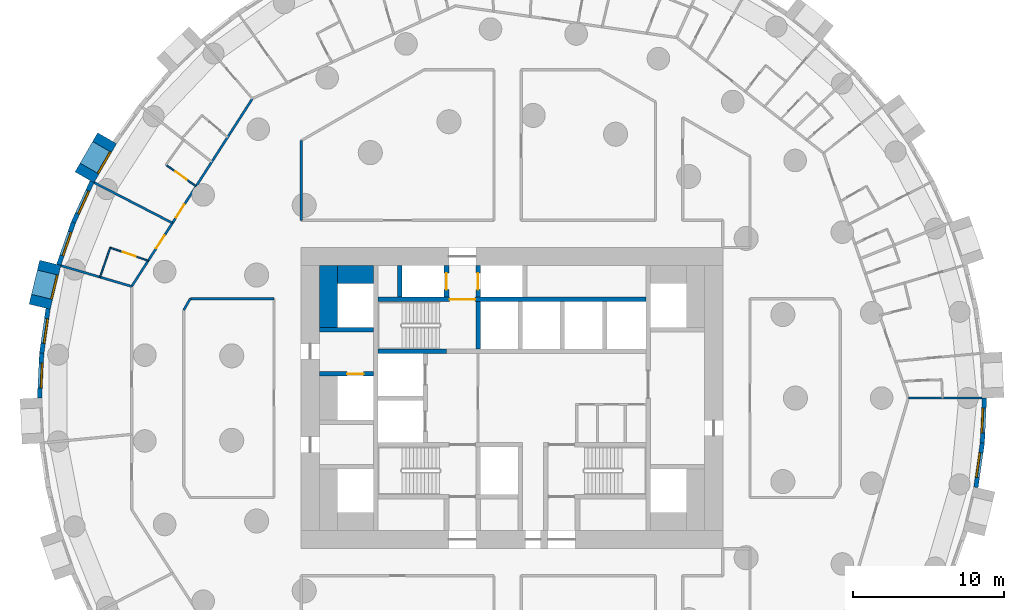
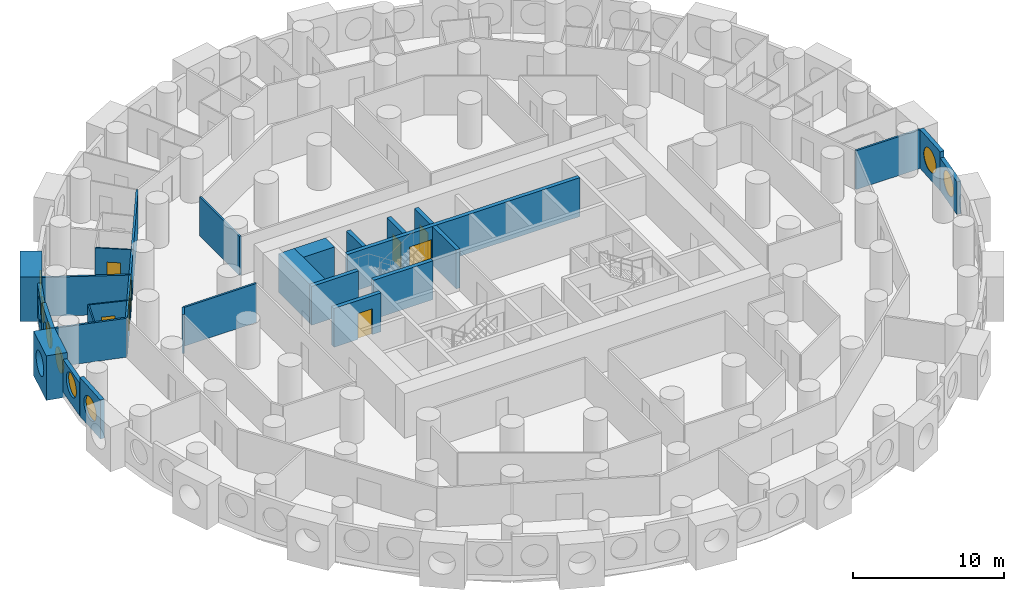
# One storey, part 6 of 12: 28 walls, 8 doors, 8 windows, 16 openings.
"""IFC4 building model written with IfcOpenShell, lengths in metres."""

from ifc_helpers import new_model, si_unit, direction, frame, frame_2d, origin, origin_2d, place, context, subcontext, project, spatial, rectangle, circle, extrude, material, layer, layer_set, type_object, element, fill, save


model = new_model("IFC4")

# Units and contexts
model_context = context("Model", 3, precision=1e-05, world=origin(), true_north=direction((0.0, 1.0)))
body_context = subcontext(model_context, "Body", "Model", "MODEL_VIEW")
ifc_project = project(units=[si_unit("LENGTHUNIT", "METRE"), si_unit("AREAUNIT", "SQUARE_METRE"), si_unit("VOLUMEUNIT", "CUBIC_METRE"), si_unit("PLANEANGLEUNIT", "RADIAN"), si_unit("MASSUNIT", "GRAM", prefix="KILO")], contexts=[model_context])

# Site, building, storey
site_placement = place(None, origin())
site = spatial("IfcSite", under=ifc_project, at=site_placement, CompositionType="ELEMENT")
building_placement = place(site_placement, origin())
building = spatial("IfcBuilding", under=site, at=building_placement, Name="Tracery Tower", CompositionType="ELEMENT")
storey_placement = place(building_placement, frame((0.0, 0.0, 42.60009765625)))
storey = spatial("IfcBuildingStorey", under=building, at=storey_placement, Name="L09", CompositionType="ELEMENT", Elevation=42.60009765625)

# Walls
ifc_material_1 = material(Name="Concrete C60/75", Category="concrete")
ifc_layer_1 = layer(ifc_material_1, 1.199951171875)
ifc_layer_set_1 = layer_set([ifc_layer_1], Name="Core strip wall 1200 C60")
wall_type_1 = type_object("IfcWallType", Name="Core strip wall 1200 C60", PredefinedType="SOLIDWALL", material=ifc_layer_set_1)
wall_1_placement = place(storey_placement, frame((-12.199951171875, 4.699951171875, 0.0), z_axis=(0.0, 0.0, 1.0), x_axis=(0.0, 1.0, 0.0)))
element("IfcWall", 1, at=wall_1_placement, inside=storey, type_object=wall_type_1, Name="L09 wing strip -1 4.55", PredefinedType="SOLIDWALL", context=body_context, shape_type="SweptSolid", body=[
    extrude(rectangle(XDim=4.10009765625, YDim=1.199951171875, at=frame_2d((2.050048828125, 0.0))), origin(), (0.0, 0.0, 1.0), 3.14990234375),
])
wall_2_placement = place(storey_placement, frame((-11.60009765625, 8.199951171875, 0.0), z_axis=(0.0, 0.0, 1.0), x_axis=(1.0, 0.0, 0.0)))
element("IfcWall", 2, at=wall_2_placement, inside=storey, type_object=wall_type_1, Name="L09 wing corner -1 +8.2", PredefinedType="SOLIDWALL", context=body_context, shape_type="SweptSolid", body=[
    extrude(rectangle(XDim=2.400146484375, YDim=1.199951171875, at=frame_2d((1.2001953125, 0.0))), origin(), (0.0, 0.0, 1.0), 3.14990234375),
])

# Wall, opening, window
ifc_material_2 = material(Name="Precast concrete C50/60", Category="concrete")
ifc_layer_2 = layer(ifc_material_2, 1.449951171875)
ifc_layer_set_2 = layer_set([ifc_layer_2], Name="Deep-set bay unit 3000 x 3600, slab edge 450")
wall_type_2 = type_object("IfcWallType", Name="Deep-set bay unit 3000 x 3600, slab edge 450", PredefinedType="ELEMENTEDWALL", material=ifc_layer_set_2)
wall_3_placement = place(storey_placement, frame((-26.88818359375, 17.256103515625, -0.4501953125), z_axis=(0.0, 0.0, 1.0), x_axis=(-0.499990139034, -0.866031096941, 0.0)))
wall_3 = element("IfcWall", 3, at=wall_3_placement, inside=storey, type_object=wall_type_2, Name="Deep-set bay unit 28 at L09", PredefinedType="ELEMENTEDWALL", context=body_context, shape_type="SweptSolid", body=[
    extrude(rectangle(XDim=3.0, YDim=1.449951171875, at=frame_2d((1.5, 0.0))), origin(), (0.0, 0.0, 1.0), 3.60009765625),
])
opening_1_placement = place(wall_3_placement, frame((1.5, 0.0, 2.0)))
opening_1 = element("IfcOpeningElement", 4, at=opening_1_placement, cuts=wall_3, Name="Opening WN1", PredefinedType="OPENING", context=body_context, shape_type="SweptSolid", body=[
    extrude(circle(Radius=0.9000244140625, at=origin_2d()), frame((0.0, 0.73486328125, 0.0), z_axis=(0.0, -1.0, 0.0), x_axis=(1.0, 0.0, 0.0)), (0.0, 0.0, 1.0), 1.469970703125),
])
ifc_material_3 = material(Name="Aluminium frame with tinted double glazing", Category="aluminium")
window_type = type_object("IfcWindowType", Name="Round window 1800", PartitioningType="SINGLE_PANEL", PredefinedType="WINDOW", material=ifc_material_3)
window_1_placement = place(opening_1_placement, origin())
window_1 = element("IfcWindow", 5, at=window_1_placement, inside=storey, type_object=window_type, Name="Round window 28 at L09", OverallHeight=1.800048828125, OverallWidth=1.800048828125, PartitioningType="SINGLE_PANEL", PredefinedType="WINDOW", context=body_context, shape_type="SweptSolid", body=[
    extrude(circle(Radius=0.9000244140625, at=origin_2d()), frame((0.0, 0.69482421875, 0.0), z_axis=(0.0, -1.0, 0.0), x_axis=(1.0, 0.0, 0.0)), (0.0, 0.0, 1.0), 0.10009765625),
])
fill(opening_1, window_1)

wall_4_placement = place(storey_placement, frame((-30.66064453125, 8.981689453125, -0.4501953125), z_axis=(0.0, 0.0, 1.0), x_axis=(-0.235751415068, -0.971813392732, 0.0)))
wall_4 = element("IfcWall", 6, at=wall_4_placement, inside=storey, type_object=wall_type_2, Name="Deep-set bay unit 31 at L09", PredefinedType="ELEMENTEDWALL", context=body_context, shape_type="SweptSolid", body=[
    extrude(rectangle(XDim=3.0, YDim=1.449951171875, at=frame_2d((1.5, 0.0))), origin(), (0.0, 0.0, 1.0), 3.60009765625),
])
opening_2_placement = place(wall_4_placement, frame((1.5, 0.0, 2.0)))
opening_2 = element("IfcOpeningElement", 7, at=opening_2_placement, cuts=wall_4, Name="Opening WN1", PredefinedType="OPENING", context=body_context, shape_type="SweptSolid", body=[
    extrude(circle(Radius=0.9000244140625, at=origin_2d()), frame((0.0, 0.73486328125, 0.0), z_axis=(0.0, -1.0, 0.0), x_axis=(1.0, 0.0, 0.0)), (0.0, 0.0, 1.0), 1.469970703125),
])
window_2_placement = place(opening_2_placement, origin())
window_2 = element("IfcWindow", 8, at=window_2_placement, inside=storey, type_object=window_type, Name="Round window 31 at L09", OverallHeight=1.800048828125, OverallWidth=1.800048828125, PartitioningType="SINGLE_PANEL", PredefinedType="WINDOW", context=body_context, shape_type="SweptSolid", body=[
    extrude(circle(Radius=0.9000244140625, at=origin_2d()), frame((0.0, 0.69482421875, 0.0), z_axis=(0.0, -1.0, 0.0), x_axis=(1.0, 0.0, 0.0)), (0.0, 0.0, 1.0), 0.10009765625),
])
fill(opening_2, window_2)

ifc_material_4 = material(Name="Precast concrete C50/60", Category="concrete")
ifc_layer_3 = layer(ifc_material_4, 0.300048828125)
ifc_layer_set_3 = layer_set([ifc_layer_3], Name="Facade panel 3000 x 2650")
wall_type_3 = type_object("IfcWallType", Name="Facade panel 3000 x 2650", PredefinedType="SOLIDWALL", material=ifc_layer_set_3)
wall_5_placement = place(storey_placement, frame((-27.88916015625, 14.37109375, 0.0), z_axis=(0.0, 0.0, 1.0), x_axis=(-0.415407317162, -0.909635509888, 0.0)))
wall_5 = element("IfcWall", 9, at=wall_5_placement, inside=storey, type_object=wall_type_3, Name="Facade panel 29 at L09", PredefinedType="SOLIDWALL", context=body_context, shape_type="SweptSolid", body=[
    extrude(rectangle(XDim=2.979736328125, YDim=0.300048828125, at=frame_2d((1.48974609375, 0.0))), origin(), (0.0, 0.0, 1.0), 2.64990234375),
])
opening_3_placement = place(wall_5_placement, frame((1.48974609375, 0.0, 1.5498046875)))
opening_3 = element("IfcOpeningElement", 10, at=opening_3_placement, cuts=wall_5, Name="Opening WN1", PredefinedType="OPENING", context=body_context, shape_type="SweptSolid", body=[
    extrude(circle(Radius=0.9000244140625, at=origin_2d()), frame((0.0, 0.159912109375, 0.0), z_axis=(0.0, -1.0, 0.0), x_axis=(1.0, 0.0, 0.0)), (0.0, 0.0, 1.0), 0.320068359375),
])
window_3_placement = place(opening_3_placement, origin())
window_3 = element("IfcWindow", 11, at=window_3_placement, inside=storey, type_object=window_type, Name="Round window 29 at L09", OverallHeight=1.800048828125, OverallWidth=1.800048828125, PartitioningType="SINGLE_PANEL", PredefinedType="WINDOW", context=body_context, shape_type="SweptSolid", body=[
    extrude(circle(Radius=0.9000244140625, at=origin_2d()), frame((0.0, 0.1201171875, 0.0), z_axis=(0.0, -1.0, 0.0), x_axis=(1.0, 0.0, 0.0)), (0.0, 0.0, 1.0), 0.10009765625),
])
fill(opening_3, window_3)

wall_6_placement = place(storey_placement, frame((-30.808349609375, 5.931640625, 0.0), z_axis=(0.0, 0.0, 1.0), x_axis=(-0.142327539111, -0.989819615693, 0.0)))
wall_6 = element("IfcWall", 12, at=wall_6_placement, inside=storey, type_object=wall_type_3, Name="Facade panel 32 at L09", PredefinedType="SOLIDWALL", context=body_context, shape_type="SweptSolid", body=[
    extrude(rectangle(XDim=2.9794921875, YDim=0.300048828125, at=frame_2d((1.48974609375, 0.0))), origin(), (0.0, 0.0, 1.0), 2.64990234375),
])
opening_4_placement = place(wall_6_placement, frame((1.48974609375, 0.0, 1.5498046875)))
opening_4 = element("IfcOpeningElement", 13, at=opening_4_placement, cuts=wall_6, Name="Opening WN1", PredefinedType="OPENING", context=body_context, shape_type="SweptSolid", body=[
    extrude(circle(Radius=0.9000244140625, at=origin_2d()), frame((0.0, 0.159912109375, 0.0), z_axis=(0.0, -1.0, 0.0), x_axis=(1.0, 0.0, 0.0)), (0.0, 0.0, 1.0), 0.320068359375),
])
window_4_placement = place(opening_4_placement, origin())
window_4 = element("IfcWindow", 14, at=window_4_placement, inside=storey, type_object=window_type, Name="Round window 32 at L09", OverallHeight=1.800048828125, OverallWidth=1.800048828125, PartitioningType="SINGLE_PANEL", PredefinedType="WINDOW", context=body_context, shape_type="SweptSolid", body=[
    extrude(circle(Radius=0.9000244140625, at=origin_2d()), frame((0.0, 0.1201171875, 0.0), z_axis=(0.0, -1.0, 0.0), x_axis=(1.0, 0.0, 0.0)), (0.0, 0.0, 1.0), 0.10009765625),
])
fill(opening_4, window_4)

wall_7_placement = place(storey_placement, frame((30.808349609375, -5.931640625, 0.0), z_axis=(0.0, 0.0, 1.0), x_axis=(0.142327539111, 0.989819615693, 0.0)))
wall_7 = element("IfcWall", 15, at=wall_7_placement, inside=storey, type_object=wall_type_3, Name="Facade panel 65 at L09", PredefinedType="SOLIDWALL", context=body_context, shape_type="SweptSolid", body=[
    extrude(rectangle(XDim=2.9794921875, YDim=0.300048828125, at=frame_2d((1.48974609375, 0.0))), origin(), (0.0, 0.0, 1.0), 2.64990234375),
])
opening_5_placement = place(wall_7_placement, frame((1.48974609375, 0.0, 1.5498046875)))
opening_5 = element("IfcOpeningElement", 16, at=opening_5_placement, cuts=wall_7, Name="Opening WN1", PredefinedType="OPENING", context=body_context, shape_type="SweptSolid", body=[
    extrude(circle(Radius=0.9000244140625, at=origin_2d()), frame((0.0, 0.159912109375, 0.0), z_axis=(0.0, -1.0, 0.0), x_axis=(1.0, 0.0, 0.0)), (0.0, 0.0, 1.0), 0.320068359375),
])
window_5_placement = place(opening_5_placement, origin())
window_5 = element("IfcWindow", 17, at=window_5_placement, inside=storey, type_object=window_type, Name="Round window 65 at L09", OverallHeight=1.800048828125, OverallWidth=1.800048828125, PartitioningType="SINGLE_PANEL", PredefinedType="WINDOW", context=body_context, shape_type="SweptSolid", body=[
    extrude(circle(Radius=0.9000244140625, at=origin_2d()), frame((0.0, 0.1201171875, 0.0), z_axis=(0.0, -1.0, 0.0), x_axis=(1.0, 0.0, 0.0)), (0.0, 0.0, 1.0), 0.10009765625),
])
fill(opening_5, window_5)

ifc_material_5 = material(Name="Precast concrete C50/60", Category="concrete")
ifc_layer_4 = layer(ifc_material_5, 0.300048828125)
ifc_layer_set_4 = layer_set([ifc_layer_4], Name="Facade panel 3000 x 3150")
wall_type_4 = type_object("IfcWallType", Name="Facade panel 3000 x 3150", PredefinedType="SOLIDWALL", material=ifc_layer_set_4)
wall_8_placement = place(storey_placement, frame((-29.126953125, 11.66064453125, 0.0), z_axis=(0.0, 0.0, 1.0), x_axis=(-0.327096492592, -0.944990944154, 0.0)))
wall_8 = element("IfcWall", 18, at=wall_8_placement, inside=storey, type_object=wall_type_4, Name="Facade panel 30 at L09", PredefinedType="SOLIDWALL", context=body_context, shape_type="SweptSolid", body=[
    extrude(rectangle(XDim=2.9794921875, YDim=0.300048828125, at=frame_2d((1.48974609375, 0.0))), origin(), (0.0, 0.0, 1.0), 3.14990234375),
])
opening_6_placement = place(wall_8_placement, frame((1.48974609375, 0.0, 1.5498046875)))
opening_6 = element("IfcOpeningElement", 19, at=opening_6_placement, cuts=wall_8, Name="Opening WN1", PredefinedType="OPENING", context=body_context, shape_type="SweptSolid", body=[
    extrude(circle(Radius=0.9000244140625, at=origin_2d()), frame((0.0, 0.159912109375, 0.0), z_axis=(0.0, -1.0, 0.0), x_axis=(1.0, 0.0, 0.0)), (0.0, 0.0, 1.0), 0.320068359375),
])
window_6_placement = place(opening_6_placement, origin())
window_6 = element("IfcWindow", 20, at=window_6_placement, inside=storey, type_object=window_type, Name="Round window 30 at L09", OverallHeight=1.800048828125, OverallWidth=1.800048828125, PartitioningType="SINGLE_PANEL", PredefinedType="WINDOW", context=body_context, shape_type="SweptSolid", body=[
    extrude(circle(Radius=0.9000244140625, at=origin_2d()), frame((0.0, 0.1201171875, 0.0), z_axis=(0.0, -1.0, 0.0), x_axis=(1.0, 0.0, 0.0)), (0.0, 0.0, 1.0), 0.10009765625),
])
fill(opening_6, window_6)

wall_9_placement = place(storey_placement, frame((-31.232421875, 2.982421875, 0.0), z_axis=(0.0, 0.0, 1.0), x_axis=(-0.047522328113, -0.998870175914, 0.0)))
wall_9 = element("IfcWall", 21, at=wall_9_placement, inside=storey, type_object=wall_type_4, Name="Facade panel 33 at L09", PredefinedType="SOLIDWALL", context=body_context, shape_type="SweptSolid", body=[
    extrude(rectangle(XDim=2.979736328125, YDim=0.300048828125, at=frame_2d((1.48974609375, 0.0))), origin(), (0.0, 0.0, 1.0), 3.14990234375),
])
opening_7_placement = place(wall_9_placement, frame((1.48974609375, 0.0, 1.5498046875)))
opening_7 = element("IfcOpeningElement", 22, at=opening_7_placement, cuts=wall_9, Name="Opening WN1", PredefinedType="OPENING", context=body_context, shape_type="SweptSolid", body=[
    extrude(circle(Radius=0.9000244140625, at=origin_2d()), frame((0.0, 0.159912109375, 0.0), z_axis=(0.0, -1.0, 0.0), x_axis=(1.0, 0.0, 0.0)), (0.0, 0.0, 1.0), 0.320068359375),
])
window_7_placement = place(opening_7_placement, origin())
window_7 = element("IfcWindow", 23, at=window_7_placement, inside=storey, type_object=window_type, Name="Round window 33 at L09", OverallHeight=1.800048828125, OverallWidth=1.800048828125, PartitioningType="SINGLE_PANEL", PredefinedType="WINDOW", context=body_context, shape_type="SweptSolid", body=[
    extrude(circle(Radius=0.9000244140625, at=origin_2d()), frame((0.0, 0.1201171875, 0.0), z_axis=(0.0, -1.0, 0.0), x_axis=(1.0, 0.0, 0.0)), (0.0, 0.0, 1.0), 0.10009765625),
])
fill(opening_7, window_7)

wall_10_placement = place(storey_placement, frame((31.232421875, -2.982421875, 0.0), z_axis=(0.0, 0.0, 1.0), x_axis=(0.047522328113, 0.998870175914, 0.0)))
wall_10 = element("IfcWall", 24, at=wall_10_placement, inside=storey, type_object=wall_type_4, Name="Facade panel 66 at L09", PredefinedType="SOLIDWALL", context=body_context, shape_type="SweptSolid", body=[
    extrude(rectangle(XDim=2.979736328125, YDim=0.300048828125, at=frame_2d((1.48974609375, 0.0))), origin(), (0.0, 0.0, 1.0), 3.14990234375),
])
opening_8_placement = place(wall_10_placement, frame((1.48974609375, 0.0, 1.5498046875)))
opening_8 = element("IfcOpeningElement", 25, at=opening_8_placement, cuts=wall_10, Name="Opening WN1", PredefinedType="OPENING", context=body_context, shape_type="SweptSolid", body=[
    extrude(circle(Radius=0.9000244140625, at=origin_2d()), frame((0.0, 0.159912109375, 0.0), z_axis=(0.0, -1.0, 0.0), x_axis=(1.0, 0.0, 0.0)), (0.0, 0.0, 1.0), 0.320068359375),
])
window_8_placement = place(opening_8_placement, origin())
window_8 = element("IfcWindow", 26, at=window_8_placement, inside=storey, type_object=window_type, Name="Round window 66 at L09", OverallHeight=1.800048828125, OverallWidth=1.800048828125, PartitioningType="SINGLE_PANEL", PredefinedType="WINDOW", context=body_context, shape_type="SweptSolid", body=[
    extrude(circle(Radius=0.9000244140625, at=origin_2d()), frame((0.0, 0.1201171875, 0.0), z_axis=(0.0, -1.0, 0.0), x_axis=(1.0, 0.0, 0.0)), (0.0, 0.0, 1.0), 0.10009765625),
])
fill(opening_8, window_8)

# Wall, opening, door
ifc_material_6 = material(Name="Plasterboard on steel studs", Category="steel")
ifc_layer_5 = layer(ifc_material_6, 0.10009765625)
ifc_layer_set_5 = layer_set([ifc_layer_5], Name="Partition 100 wet wall")
wall_type_5 = type_object("IfcWallType", Name="Partition 100 wet wall", PredefinedType="PARTITIONING", material=ifc_layer_set_5)
wall_11_placement = place(storey_placement, frame((-22.97802734375, 15.486083984375, 0.0), z_axis=(0.0, 0.0, 1.0), x_axis=(0.814519517834, -0.580136152181, 0.0)))
wall_11 = element("IfcWall", 27, at=wall_11_placement, inside=storey, type_object=wall_type_5, Name="Wet wall RA2-113", PredefinedType="PARTITIONING", context=body_context, shape_type="SweptSolid", body=[
    extrude(rectangle(XDim=2.453125, YDim=0.10009765625, at=frame_2d((1.2265625, 0.0))), origin(), (0.0, 0.0, 1.0), 3.14990234375),
])
opening_9_placement = place(wall_11_placement, frame((0.77587890625, 0.0, 0.0)))
opening_9 = element("IfcOpeningElement", 28, at=opening_9_placement, cuts=wall_11, Name="Opening RA2-41", PredefinedType="OPENING", context=body_context, shape_type="SweptSolid", body=[
    extrude(rectangle(XDim=0.89990234375, YDim=2.0400390625, at=frame_2d((0.449951171875, 1.02001953125))), frame((0.0, 0.050048828125, 0.0), z_axis=(0.0, -1.0, 0.0), x_axis=(1.0, 0.0, 0.0)), (0.0, 0.0, 1.0), 0.10009765625),
])
ifc_material_7 = material(Name="Timber door leaf", Category="wood")
door_type_1 = type_object("IfcDoorType", Name="Door en-suite 900", OperationType="NOTDEFINED", PredefinedType="DOOR", material=ifc_material_7)
door_1_placement = place(opening_9_placement, origin())
door_1 = element("IfcDoor", 29, at=door_1_placement, inside=storey, type_object=door_type_1, Name="En-suite door RA2-41", OperationType="SINGLE_SWING_LEFT", OverallHeight=2.0400390625, OverallWidth=0.89990234375, PredefinedType="DOOR", context=body_context, shape_type="SweptSolid", body=[
    extrude(rectangle(XDim=0.89990234375, YDim=2.0400390625, at=frame_2d((0.449951171875, 1.02001953125))), frame((0.0, 0.02490234375, 0.0), z_axis=(0.0, -1.0, 0.0), x_axis=(1.0, 0.0, 0.0)), (0.0, 0.0, 1.0), 0.050048828125),
])
fill(opening_9, door_1)

wall_12_placement = place(storey_placement, frame((-26.678955078125, 9.989013671875, 0.0), z_axis=(0.0, 0.0, 1.0), x_axis=(0.945014370431, -0.327028805578, 0.0)))
wall_12 = element("IfcWall", 30, at=wall_12_placement, inside=storey, type_object=wall_type_5, Name="Wet wall RA2-115", PredefinedType="PARTITIONING", context=body_context, shape_type="SweptSolid", body=[
    extrude(rectangle(XDim=2.666748046875, YDim=0.10009765625, at=frame_2d((1.33349609375, 0.0))), origin(), (0.0, 0.0, 1.0), 3.14990234375),
])
opening_10_placement = place(wall_12_placement, frame((0.883544921875, 0.0, 0.0)))
opening_10 = element("IfcOpeningElement", 31, at=opening_10_placement, cuts=wall_12, Name="Opening RA2-43", PredefinedType="OPENING", context=body_context, shape_type="SweptSolid", body=[
    extrude(rectangle(XDim=0.89990234375, YDim=2.0400390625, at=frame_2d((0.449951171875, 1.02001953125))), frame((0.0, 0.050048828125, 0.0), z_axis=(0.0, -1.0, 0.0), x_axis=(1.0, 0.0, 0.0)), (0.0, 0.0, 1.0), 0.10009765625),
])
door_2_placement = place(opening_10_placement, origin())
door_2 = element("IfcDoor", 32, at=door_2_placement, inside=storey, type_object=door_type_1, Name="En-suite door RA2-43", OperationType="SINGLE_SWING_LEFT", OverallHeight=2.0400390625, OverallWidth=0.89990234375, PredefinedType="DOOR", context=body_context, shape_type="SweptSolid", body=[
    extrude(rectangle(XDim=0.89990234375, YDim=2.0400390625, at=frame_2d((0.449951171875, 1.02001953125))), frame((0.0, 0.02490234375, 0.0), z_axis=(0.0, -1.0, 0.0), x_axis=(1.0, 0.0, 0.0)), (0.0, 0.0, 1.0), 0.050048828125),
])
fill(opening_10, door_2)

# Walls
wall_13_placement = place(storey_placement, frame((-27.35595703125, 8.031982421875, 0.0), z_axis=(0.0, 0.0, 1.0), x_axis=(0.326924291943, 0.945050531632, 0.0)))
element("IfcWall", 33, at=wall_13_placement, inside=storey, type_object=wall_type_5, Name="Wet wall RA2-116", PredefinedType="PARTITIONING", context=body_context, shape_type="SweptSolid", body=[
    extrude(rectangle(XDim=2.07080078125, YDim=0.10009765625, at=frame_2d((1.035400390625, 0.0))), origin(), (0.0, 0.0, 1.0), 3.14990234375),
])
ifc_material_8 = material(Name="Plasterboard on steel studs", Category="steel")
ifc_layer_6 = layer(ifc_material_8, 0.14990234375)
ifc_layer_set_6 = layer_set([ifc_layer_6], Name="Partition 150 acoustic unit wall")
wall_type_6 = type_object("IfcWallType", Name="Partition 150 acoustic unit wall", PredefinedType="PARTITIONING", material=ifc_layer_set_6)
wall_14_placement = place(storey_placement, frame((26.319091796875, 0.0, 0.0), z_axis=(0.0, 0.0, 1.0), x_axis=(1.0, 0.0, 0.0)))
element("IfcWall", 34, at=wall_14_placement, inside=storey, type_object=wall_type_6, Name="Unit wall RA2-065", PredefinedType="PARTITIONING", context=body_context, shape_type="SweptSolid", body=[
    extrude(rectangle(XDim=4.905029296875, YDim=0.14990234375, at=frame_2d((2.45263671875, 0.0))), origin(), (0.0, 0.0, 1.0), 3.14990234375),
])
wall_15_placement = place(storey_placement, frame((-27.7529296875, 14.30810546875, 0.0), z_axis=(0.0, 0.0, 1.0), x_axis=(0.88877955153, -0.45833493079, 0.0)))
element("IfcWall", 35, at=wall_15_placement, inside=storey, type_object=wall_type_6, Name="Unit wall RA2-114", PredefinedType="PARTITIONING", context=body_context, shape_type="SweptSolid", body=[
    extrude(rectangle(XDim=5.856201171875, YDim=0.14990234375, at=frame_2d((2.92822265625, 0.0))), origin(), (0.0, 0.0, 1.0), 3.14990234375),
])
wall_16_placement = place(storey_placement, frame((-29.958984375, 8.797119140625, 0.0), z_axis=(0.0, 0.0, 1.0), x_axis=(0.95941700717, -0.281991145876, 0.0)))
element("IfcWall", 36, at=wall_16_placement, inside=storey, type_object=wall_type_6, Name="Unit wall RA2-117", PredefinedType="PARTITIONING", context=body_context, shape_type="SweptSolid", body=[
    extrude(rectangle(XDim=4.904541015625, YDim=0.14990234375, at=frame_2d((2.4521484375, 0.0))), origin(), (0.0, 0.0, 1.0), 3.14990234375),
])
ifc_material_9 = material(Name="Plasterboard on steel studs", Category="steel")
ifc_layer_7 = layer(ifc_material_9, 0.14990234375)
ifc_layer_set_7 = layer_set([ifc_layer_7], Name="Partition 150 corridor wall")
wall_type_7 = type_object("IfcWallType", Name="Partition 150 corridor wall", PredefinedType="PARTITIONING", material=ifc_layer_set_7)
wall_17_placement = place(storey_placement, frame((-14.0, 11.800048828125, 0.0), z_axis=(0.0, 0.0, 1.0), x_axis=(0.0, 1.0, 0.0)))
element("IfcWall", 37, at=wall_17_placement, inside=storey, type_object=wall_type_7, Name="Corridor wall RA2-027", PredefinedType="PARTITIONING", context=body_context, shape_type="SweptSolid", body=[
    extrude(rectangle(XDim=5.2919921875, YDim=0.14990234375, at=frame_2d((2.64599609375, 0.0))), origin(), (0.0, 0.0, 1.0), 3.14990234375),
])

# Wall, openings, doors
wall_18_placement = place(storey_placement, frame((-25.2548828125, 7.416259765625, 0.0), z_axis=(0.0, 0.0, 1.0), x_axis=(0.540805851332, 0.841147449123, 0.0)))
wall_18 = element("IfcWall", 38, at=wall_18_placement, inside=storey, type_object=wall_type_7, Name="Corridor wall RA2-037", PredefinedType="PARTITIONING", context=body_context, shape_type="SweptSolid", body=[
    extrude(rectangle(XDim=14.829345703125, YDim=0.14990234375, at=frame_2d((7.41455078125, 0.0))), origin(), (0.0, 0.0, 1.0), 3.14990234375),
])
opening_11_placement = place(wall_18_placement, frame((5.452880859375, 0.0, 0.0)))
opening_11 = element("IfcOpeningElement", 39, at=opening_11_placement, cuts=wall_18, Name="Opening RA2-42", PredefinedType="OPENING", context=body_context, shape_type="SweptSolid", body=[
    extrude(rectangle(XDim=1.0, YDim=2.10009765625, at=frame_2d((0.5, 1.050048828125))), frame((0.0, 0.074951171875, 0.0), z_axis=(0.0, -1.0, 0.0), x_axis=(1.0, 0.0, 0.0)), (0.0, 0.0, 1.0), 0.14990234375),
])
opening_12_placement = place(wall_18_placement, frame((3.0126953125, 0.0, 0.0)))
opening_12 = element("IfcOpeningElement", 40, at=opening_12_placement, cuts=wall_18, Name="Opening RA2-44", PredefinedType="OPENING", context=body_context, shape_type="SweptSolid", body=[
    extrude(rectangle(XDim=1.0, YDim=2.10009765625, at=frame_2d((0.5, 1.050048828125))), frame((0.0, 0.074951171875, 0.0), z_axis=(0.0, -1.0, 0.0), x_axis=(1.0, 0.0, 0.0)), (0.0, 0.0, 1.0), 0.14990234375),
])
ifc_material_10 = material(Name="Timber door leaf", Category="wood")
door_type_2 = type_object("IfcDoorType", Name="Door unit entrance 1000", OperationType="NOTDEFINED", PredefinedType="DOOR", material=ifc_material_10)
door_3_placement = place(opening_11_placement, origin())
door_3 = element("IfcDoor", 41, at=door_3_placement, inside=storey, type_object=door_type_2, Name="Unit entrance door RA2-42", OperationType="SINGLE_SWING_LEFT", OverallHeight=2.10009765625, OverallWidth=1.0, PredefinedType="DOOR", context=body_context, shape_type="SweptSolid", body=[
    extrude(rectangle(XDim=1.0, YDim=2.10009765625, at=frame_2d((0.5, 1.050048828125))), frame((0.0, 0.02490234375, 0.0), z_axis=(0.0, -1.0, 0.0), x_axis=(1.0, 0.0, 0.0)), (0.0, 0.0, 1.0), 0.050048828125),
])
fill(opening_11, door_3)
door_4_placement = place(opening_12_placement, origin())
door_4 = element("IfcDoor", 42, at=door_4_placement, inside=storey, type_object=door_type_2, Name="Unit entrance door RA2-44", OperationType="SINGLE_SWING_LEFT", OverallHeight=2.10009765625, OverallWidth=1.0, PredefinedType="DOOR", context=body_context, shape_type="SweptSolid", body=[
    extrude(rectangle(XDim=1.0, YDim=2.10009765625, at=frame_2d((0.5, 1.050048828125))), frame((0.0, 0.02490234375, 0.0), z_axis=(0.0, -1.0, 0.0), x_axis=(1.0, 0.0, 0.0)), (0.0, 0.0, 1.0), 0.050048828125),
])
fill(opening_12, door_4)

# Walls
wall_19_placement = place(storey_placement, frame((-21.364013671875, 6.60009765625, 0.0), z_axis=(0.0, 0.0, 1.0), x_axis=(1.0, 0.0, 0.0)))
element("IfcWall", 43, at=wall_19_placement, inside=storey, type_object=wall_type_7, Name="Corridor wall RA2-039", PredefinedType="PARTITIONING", context=body_context, shape_type="SweptSolid", body=[
    extrude(rectangle(XDim=5.56396484375, YDim=0.14990234375, at=frame_2d((2.781982421875, 0.0))), origin(), (0.0, 0.0, 1.0), 3.14990234375),
])
wall_20_placement = place(storey_placement, frame((-21.802001953125, 5.842041015625, 0.0), z_axis=(0.0, 0.0, 1.0), x_axis=(0.500277597875, 0.865865073245, 0.0)))
element("IfcWall", 44, at=wall_20_placement, inside=storey, type_object=wall_type_7, Name="Corridor wall RA2-040", PredefinedType="PARTITIONING", context=body_context, shape_type="SweptSolid", body=[
    extrude(rectangle(XDim=0.87548828125, YDim=0.14990234375, at=frame_2d((0.437744140625, 0.0))), origin(), (0.0, 0.0, 1.0), 3.14990234375),
])
ifc_material_11 = material(Name="Concrete C60/75", Category="concrete")
ifc_layer_8 = layer(ifc_material_11, 0.300048828125)
ifc_layer_set_8 = layer_set([ifc_layer_8], Name="Shaft wall 300 C60")
wall_type_8 = type_object("IfcWallType", Name="Shaft wall 300 C60", PredefinedType="SOLIDWALL", material=ifc_layer_set_8)
wall_21_placement = place(storey_placement, frame((-7.449951171875, 6.699951171875, 0.0), z_axis=(0.0, 0.0, 1.0), x_axis=(0.0, 1.0, 0.0)))
element("IfcWall", 45, at=wall_21_placement, inside=storey, type_object=wall_type_8, Name="L09 LR sep -7.45", PredefinedType="SOLIDWALL", context=body_context, shape_type="SweptSolid", body=[
    extrude(rectangle(XDim=2.10009765625, YDim=0.300048828125, at=frame_2d((1.050048828125, 0.0))), origin(), (0.0, 0.0, 1.0), 3.14990234375),
])

# Wall, opening, door
wall_22_placement = place(storey_placement, frame((-4.35009765625, 6.699951171875, 0.0), z_axis=(0.0, 0.0, 1.0), x_axis=(0.0, 1.0, 0.0)))
wall_22 = element("IfcWall", 46, at=wall_22_placement, inside=storey, type_object=wall_type_8, Name="L09 LR sep -4.35", PredefinedType="SOLIDWALL", context=body_context, shape_type="SweptSolid", body=[
    extrude(rectangle(XDim=2.10009765625, YDim=0.300048828125, at=frame_2d((1.050048828125, 0.0))), origin(), (0.0, 0.0, 1.0), 3.14990234375),
])
opening_13_placement = place(wall_22_placement, frame((0.5, 0.0, 0.0)))
opening_13 = element("IfcOpeningElement", 47, at=opening_13_placement, cuts=wall_22, Name="Opening KD50", PredefinedType="OPENING", context=body_context, shape_type="SweptSolid", body=[
    extrude(rectangle(XDim=1.10009765625, YDim=2.10009765625, at=frame_2d((0.550048828125, 1.050048828125))), frame((0.0, 0.14990234375, 0.0), z_axis=(0.0, -1.0, 0.0), x_axis=(1.0, 0.0, 0.0)), (0.0, 0.0, 1.0), 0.300048828125),
])
ifc_material_12 = material(Name="Steel fire door", Category="steel")
door_type_3 = type_object("IfcDoorType", Name="Landing door 1100", OperationType="NOTDEFINED", PredefinedType="DOOR", material=ifc_material_12)
door_5_placement = place(opening_13_placement, origin())
door_5 = element("IfcDoor", 48, at=door_5_placement, inside=storey, type_object=door_type_3, Name="Landing door LR3", OperationType="SLIDING_TO_RIGHT", OverallHeight=2.10009765625, OverallWidth=1.10009765625, PredefinedType="DOOR", context=body_context, shape_type="SweptSolid", body=[
    extrude(rectangle(XDim=1.10009765625, YDim=2.10009765625, at=frame_2d((0.550048828125, 1.050048828125))), frame((0.0, 0.02490234375, 0.0), z_axis=(0.0, -1.0, 0.0), x_axis=(1.0, 0.0, 0.0)), (0.0, 0.0, 1.0), 0.050048828125),
])
fill(opening_13, door_5)

# Wall
wall_23_placement = place(storey_placement, frame((-12.800048828125, 4.550048828125, 0.0), z_axis=(0.0, 0.0, 1.0), x_axis=(1.0, 0.0, 0.0)))
element("IfcWall", 49, at=wall_23_placement, inside=storey, type_object=wall_type_8, Name="L09 wing shaft wall -1 +4.55", PredefinedType="SOLIDWALL", context=body_context, shape_type="SweptSolid", body=[
    extrude(rectangle(XDim=3.60009765625, YDim=0.300048828125, at=frame_2d((1.800048828125, 0.0))), origin(), (0.0, 0.0, 1.0), 3.14990234375),
])

# Wall, opening, door
wall_24_placement = place(storey_placement, frame((-12.800048828125, 1.60009765625, 0.0), z_axis=(0.0, 0.0, 1.0), x_axis=(1.0, 0.0, 0.0)))
wall_24 = element("IfcWall", 50, at=wall_24_placement, inside=storey, type_object=wall_type_8, Name="L09 wing shaft wall -1 +1.60", PredefinedType="SOLIDWALL", context=body_context, shape_type="SweptSolid", body=[
    extrude(rectangle(XDim=3.60009765625, YDim=0.300048828125, at=frame_2d((1.800048828125, 0.0))), origin(), (0.0, 0.0, 1.0), 3.14990234375),
])
opening_14_placement = place(wall_24_placement, frame((1.85009765625, 0.0, 0.0)))
opening_14 = element("IfcOpeningElement", 51, at=opening_14_placement, cuts=wall_24, Name="Opening KD50", PredefinedType="OPENING", context=body_context, shape_type="SweptSolid", body=[
    extrude(rectangle(XDim=1.10009765625, YDim=2.10009765625, at=frame_2d((0.550048828125, 1.050048828125))), frame((0.0, 0.14990234375, 0.0), z_axis=(0.0, -1.0, 0.0), x_axis=(1.0, 0.0, 0.0)), (0.0, 0.0, 1.0), 0.300048828125),
])
door_6_placement = place(opening_14_placement, origin())
door_6 = element("IfcDoor", 52, at=door_6_placement, inside=storey, type_object=door_type_3, Name="Landing door LR1", OperationType="SLIDING_TO_RIGHT", OverallHeight=2.10009765625, OverallWidth=1.10009765625, PredefinedType="DOOR", context=body_context, shape_type="SweptSolid", body=[
    extrude(rectangle(XDim=1.10009765625, YDim=2.10009765625, at=frame_2d((0.550048828125, 1.050048828125))), frame((0.0, 0.02490234375, 0.0), z_axis=(0.0, -1.0, 0.0), x_axis=(1.0, 0.0, 0.0)), (0.0, 0.0, 1.0), 0.050048828125),
])
fill(opening_14, door_6)

# Walls
ifc_material_13 = material(Name="Concrete C60/75", Category="concrete")
ifc_layer_9 = layer(ifc_material_13, 0.300048828125)
ifc_layer_set_9 = layer_set([ifc_layer_9], Name="Stair wall 300 C60")
wall_type_9 = type_object("IfcWallType", Name="Stair wall 300 C60", PredefinedType="SOLIDWALL", material=ifc_layer_set_9)
wall_25_placement = place(storey_placement, frame((-8.89990234375, 3.10009765625, 0.0), z_axis=(0.0, 0.0, 1.0), x_axis=(1.0, 0.0, 0.0)))
element("IfcWall", 53, at=wall_25_placement, inside=storey, type_object=wall_type_9, Name="L09 row N W", PredefinedType="SOLIDWALL", context=body_context, shape_type="SweptSolid", body=[
    extrude(rectangle(XDim=4.5498046875, YDim=0.300048828125, at=frame_2d((2.27490234375, 0.0))), origin(), (0.0, 0.0, 1.0), 3.14990234375),
])
wall_26_placement = place(storey_placement, frame((-2.25, 3.25, 0.0), z_axis=(0.0, 0.0, 1.0), x_axis=(0.0, 1.0, 0.0)))
element("IfcWall", 54, at=wall_26_placement, inside=storey, type_object=wall_type_9, Name="L09 ST3 E", PredefinedType="SOLIDWALL", context=body_context, shape_type="SweptSolid", body=[
    extrude(rectangle(XDim=3.14990234375, YDim=0.300048828125, at=frame_2d((1.574951171875, 0.0))), origin(), (0.0, 0.0, 1.0), 3.14990234375),
])

# Wall, opening, door
wall_27_placement = place(storey_placement, frame((-8.89990234375, 6.550048828125, 0.0), z_axis=(0.0, 0.0, 1.0), x_axis=(1.0, 0.0, 0.0)))
wall_27 = element("IfcWall", 55, at=wall_27_placement, inside=storey, type_object=wall_type_9, Name="L09 F N", PredefinedType="SOLIDWALL", context=body_context, shape_type="SweptSolid", body=[
    extrude(rectangle(XDim=17.7998046875, YDim=0.300048828125, at=frame_2d((8.89990234375, 0.0))), origin(), (0.0, 0.0, 1.0), 3.14990234375),
])
opening_15_placement = place(wall_27_placement, frame((4.75, 0.0, 0.0)))
opening_15 = element("IfcOpeningElement", 56, at=opening_15_placement, cuts=wall_27, Name="Opening KD3", PredefinedType="OPENING", context=body_context, shape_type="SweptSolid", body=[
    extrude(rectangle(XDim=1.699951171875, YDim=2.10009765625, at=frame_2d((0.85009765625, 1.050048828125))), frame((0.0, 0.14990234375, 0.0), z_axis=(0.0, -1.0, 0.0), x_axis=(1.0, 0.0, 0.0)), (0.0, 0.0, 1.0), 0.300048828125),
])
ifc_material_14 = material(Name="Steel fire door", Category="steel")
door_type_4 = type_object("IfcDoorType", Name="Core stair door 1700 double", OperationType="NOTDEFINED", PredefinedType="DOOR", material=ifc_material_14)
door_7_placement = place(opening_15_placement, origin())
door_7 = element("IfcDoor", 57, at=door_7_placement, inside=storey, type_object=door_type_4, Name="Stair door ST3 N", OperationType="DOUBLE_DOOR_SINGLE_SWING", OverallHeight=2.10009765625, OverallWidth=1.699951171875, PredefinedType="DOOR", context=body_context, shape_type="SweptSolid", body=[
    extrude(rectangle(XDim=1.699951171875, YDim=2.10009765625, at=frame_2d((0.85009765625, 1.050048828125))), frame((0.0, 0.02490234375, 0.0), z_axis=(0.0, -1.0, 0.0), x_axis=(1.0, 0.0, 0.0)), (0.0, 0.0, 1.0), 0.050048828125),
])
fill(opening_15, door_7)

wall_28_placement = place(storey_placement, frame((-2.25, 6.699951171875, 0.0), z_axis=(0.0, 0.0, 1.0), x_axis=(0.0, 1.0, 0.0)))
wall_28 = element("IfcWall", 58, at=wall_28_placement, inside=storey, type_object=wall_type_9, Name="L09 ST3 E out", PredefinedType="SOLIDWALL", context=body_context, shape_type="SweptSolid", body=[
    extrude(rectangle(XDim=2.10009765625, YDim=0.300048828125, at=frame_2d((1.050048828125, 0.0))), origin(), (0.0, 0.0, 1.0), 3.14990234375),
])
opening_16_placement = place(wall_28_placement, frame((0.5, 0.0, 0.0)))
opening_16 = element("IfcOpeningElement", 59, at=opening_16_placement, cuts=wall_28, Name="Opening KD49", PredefinedType="OPENING", context=body_context, shape_type="SweptSolid", body=[
    extrude(rectangle(XDim=1.10009765625, YDim=2.10009765625, at=frame_2d((0.550048828125, 1.050048828125))), frame((0.0, 0.14990234375, 0.0), z_axis=(0.0, -1.0, 0.0), x_axis=(1.0, 0.0, 0.0)), (0.0, 0.0, 1.0), 0.300048828125),
])
door_8_placement = place(opening_16_placement, origin())
door_8 = element("IfcDoor", 60, at=door_8_placement, inside=storey, type_object=door_type_3, Name="Landing door LR2", OperationType="SLIDING_TO_LEFT", OverallHeight=2.10009765625, OverallWidth=1.10009765625, PredefinedType="DOOR", context=body_context, shape_type="SweptSolid", body=[
    extrude(rectangle(XDim=1.10009765625, YDim=2.10009765625, at=frame_2d((0.550048828125, 1.050048828125))), frame((0.0, 0.02490234375, 0.0), z_axis=(0.0, -1.0, 0.0), x_axis=(1.0, 0.0, 0.0)), (0.0, 0.0, 1.0), 0.050048828125),
])
fill(opening_16, door_8)

save(model, "model.ifc")
